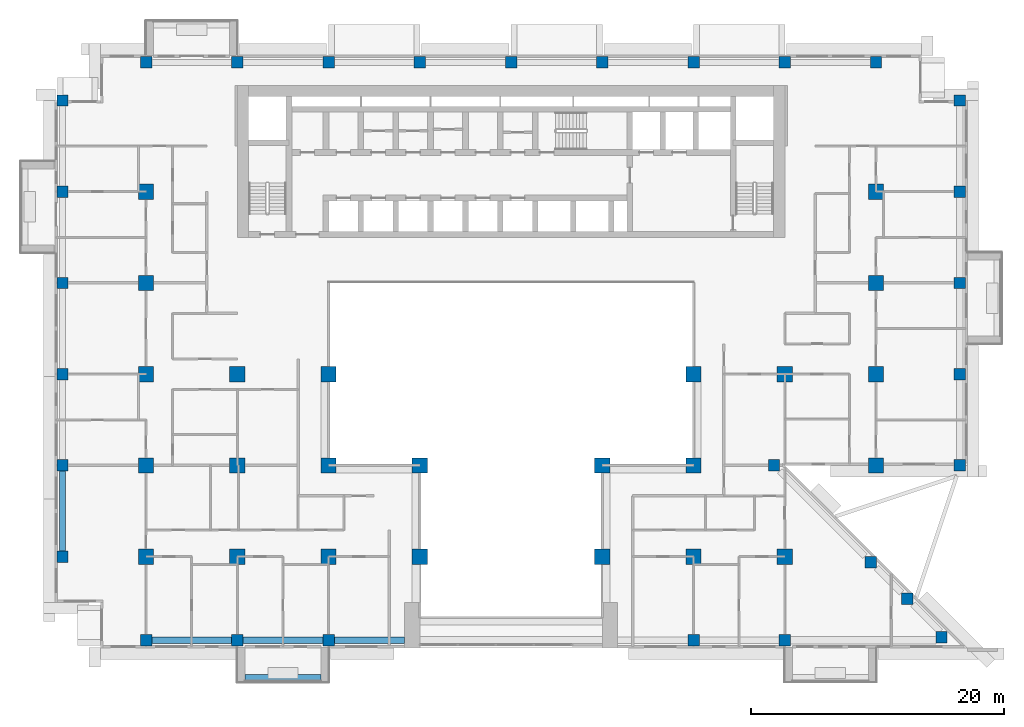
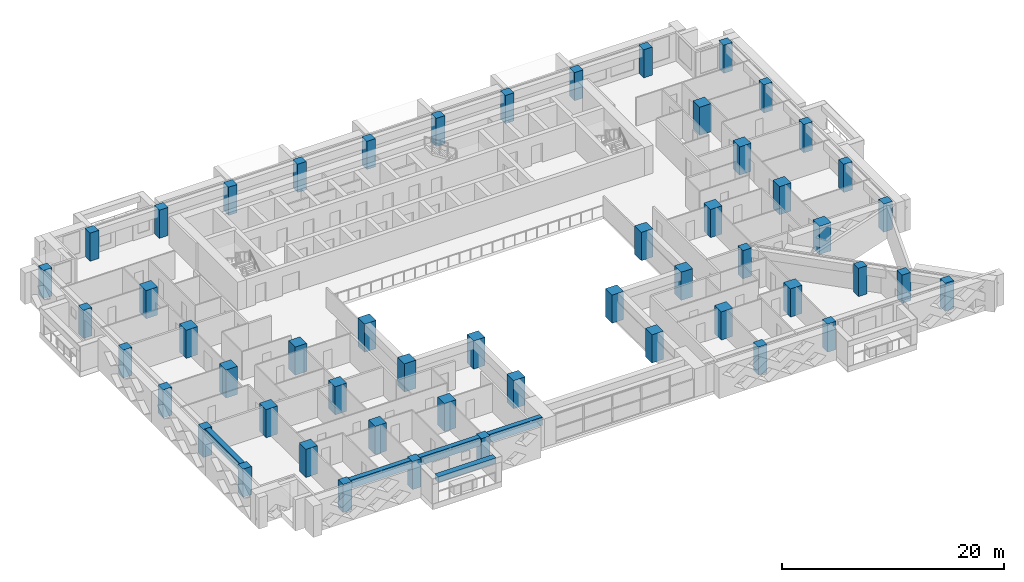
# One storey, part 1 of 17: 53 columns, 5 beams.
"""IFC4 building model written with IfcOpenShell, lengths in metres."""

from ifc_helpers import new_model, si_unit, direction, frame, origin, origin_2d, place, context, subcontext, project, spatial, rectangle, extrude, source, transform, mapped, material, material_profile, profile_set, type_object, element, save


model = new_model("IFC4")

# Units and contexts
model_context = context("Model", 3, precision=1e-05, world=origin(), true_north=direction((0.0, 1.0)))
body_context = subcontext(model_context, "Body", "Model", "MODEL_VIEW")
ifc_project = project(units=[si_unit("LENGTHUNIT", "METRE"), si_unit("AREAUNIT", "SQUARE_METRE"), si_unit("VOLUMEUNIT", "CUBIC_METRE"), si_unit("PLANEANGLEUNIT", "RADIAN"), si_unit("MASSUNIT", "GRAM", prefix="KILO")], contexts=[model_context])

# Site, building, storey
site_placement = place(None, origin())
site = spatial("IfcSite", under=ifc_project, at=site_placement, CompositionType="ELEMENT")
building_placement = place(site_placement, origin())
building = spatial("IfcBuilding", under=site, at=building_placement, Name="Saffron Iwan Residences", CompositionType="ELEMENT")
storey_placement = place(building_placement, frame((0.0, 0.0, 104.0)))
storey = spatial("IfcBuildingStorey", under=building, at=storey_placement, Name="L27", CompositionType="ELEMENT", Elevation=104.0)

# Columns
ifc_material_1 = material(Name="Concrete C60/75", Category="concrete")
ifc_material_profile_1 = material_profile(ifc_material_1, rectangle(XDim=0.89990234375, YDim=0.89990234375, at=origin_2d()), Name="RC 900x900")
ifc_profile_set_1 = profile_set([ifc_material_profile_1], Name="Concrete C60/75")
column_type_1 = type_object("IfcColumnType", Name="COL RC 900x900 C60/75 3100 HIGH", PredefinedType="COLUMN", material=ifc_profile_set_1)
shared_shape_1 = source(origin(), body_context, "Body", "SweptSolid", [
    extrude(rectangle(XDim=0.89990234375, YDim=0.89990234375, at=origin_2d()), origin(), (0.0, 0.0, 1.0), 3.10009765625),
])
for number, where, z_axis, x_axis, name in (
    (1, (21.60009765625, 34.199951171875, 0.0), (0.0, 0.0, 1.0), (1.0, 0.0, 0.0), "Column C038"),
    (2, (28.800048828125, 34.199951171875, 0.0), (0.0, 0.0, 1.0), (1.0, 0.0, 0.0), "Column C039"),
    (3, (36.0, 34.199951171875, 0.0), (0.0, 0.0, 1.0), (1.0, 0.0, 0.0), "Column C040"),
    (4, (64.800048828125, 34.199951171875, 0.0), (0.0, 0.0, 1.0), (1.0, 0.0, 0.0), "Column C041"),
    (5, (72.0, 34.199951171875, 0.0), (0.0, 0.0, 1.0), (1.0, 0.0, 0.0), "Column C042"),
    (6, (84.367431640625, 34.44189453125, 0.0), (0.0, 0.0, 1.0), (1.0, 0.0, 0.0), "Column C043"),
    (7, (81.65576171875, 37.49560546875, 0.0), (0.0, 0.0, 1.0), (1.0, 0.0, 0.0), "Column C044"),
    (8, (78.775634765625, 40.375732421875, 0.0), (0.0, 0.0, 1.0), (1.0, 0.0, 0.0), "Column C047"),
    (9, (15.0, 40.800048828125, 0.0), (0.0, 0.0, 1.0), (1.0, 0.0, 0.0), "Column C048"),
    (10, (15.0, 48.0, 0.0), (0.0, 0.0, 1.0), (1.0, 0.0, 0.0), "Column C061"),
    (11, (71.14990234375, 48.0, 0.0), (0.0, 0.0, 1.0), (1.0, 0.0, 0.0), "Column C070"),
    (12, (85.800048828125, 48.0, 0.0), (0.0, 0.0, 1.0), (1.0, 0.0, 0.0), "Column C074"),
    (13, (15.0, 55.199951171875, 0.0), (0.0, 0.0, 1.0), (1.0, 0.0, 0.0), "Column C077"),
    (14, (85.800048828125, 55.199951171875, 0.0), (0.0, 0.0, 1.0), (1.0, 0.0, 0.0), "Column C086"),
    (15, (15.0, 62.39990234375, 0.0), (0.0, 0.0, 1.0), (1.0, 0.0, 0.0), "Column C089"),
    (16, (85.800048828125, 62.39990234375, 0.0), (0.0, 0.0, 1.0), (1.0, 0.0, 0.0), "Column C094"),
    (17, (15.0, 69.60009765625, 0.0), (0.0, 0.0, 1.0), (1.0, 0.0, 0.0), "Column C097"),
    (18, (85.800048828125, 69.60009765625, 0.0), (0.0, 0.0, 1.0), (1.0, 0.0, 0.0), "Column C102"),
    (19, (15.0, 76.800048828125, 0.0), (0.0, 0.0, 1.0), (1.0, 0.0, 0.0), "Column C105"),
    (20, (85.800048828125, 76.800048828125, 0.0), (0.0, 0.0, 1.0), (1.0, 0.0, 0.0), "Column C110"),
    (21, (21.60009765625, 79.800048828125, 0.0), (0.0, 0.0, 1.0), (1.0, 0.0, 0.0), "Column C113"),
    (22, (28.800048828125, 79.800048828125, 0.0), (0.0, 0.0, 1.0), (1.0, 0.0, 0.0), "Column C115"),
    (23, (36.0, 79.800048828125, 0.0), (0.0, 0.0, 1.0), (1.0, 0.0, 0.0), "Column C116"),
    (24, (43.199951171875, 79.800048828125, 0.0), (0.0, 0.0, 1.0), (1.0, 0.0, 0.0), "Column C117"),
    (25, (50.39990234375, 79.800048828125, 0.0), (0.0, 0.0, 1.0), (1.0, 0.0, 0.0), "Column C118"),
    (26, (57.60009765625, 79.800048828125, 0.0), (0.0, 0.0, 1.0), (1.0, 0.0, 0.0), "Column C119"),
    (27, (64.800048828125, 79.800048828125, 0.0), (0.0, 0.0, 1.0), (1.0, 0.0, 0.0), "Column C120"),
    (28, (72.0, 79.800048828125, 0.0), (0.0, 0.0, 1.0), (1.0, 0.0, 0.0), "Column C121"),
    (29, (79.199951171875, 79.800048828125, 0.0), (0.0, 0.0, 1.0), (1.0, 0.0, 0.0), "Column C123"),
):
    element("IfcColumn", number, at=place(storey_placement, frame(where, z_axis=z_axis, x_axis=x_axis)), inside=storey, type_object=column_type_1, Name=name, PredefinedType="COLUMN", context=body_context, shape_type="MappedRepresentation", body=[
        mapped(shared_shape_1, transform((0.0, 0.0, 0.0))),
    ])
ifc_material_profile_2 = material_profile(ifc_material_1, rectangle(XDim=1.199951171875, YDim=1.199951171875, at=origin_2d()), Name="RC 1200x1200")
ifc_profile_set_2 = profile_set([ifc_material_profile_2], Name="Concrete C60/75")
column_type_2 = type_object("IfcColumnType", Name="COL RC 1200x1200 C60/75 3100 HIGH", PredefinedType="COLUMN", material=ifc_profile_set_2)
shared_shape_2 = source(origin(), body_context, "Body", "SweptSolid", [
    extrude(rectangle(XDim=1.199951171875, YDim=1.199951171875, at=origin_2d()), origin(), (0.0, 0.0, 1.0), 3.10009765625),
])
for number, where, z_axis, x_axis, name in (
    (30, (21.60009765625, 40.800048828125, 0.0), (0.0, 0.0, 1.0), (1.0, 0.0, 0.0), "Column C049"),
    (31, (28.800048828125, 40.800048828125, 0.0), (0.0, 0.0, 1.0), (1.0, 0.0, 0.0), "Column C051"),
    (32, (36.0, 40.800048828125, 0.0), (0.0, 0.0, 1.0), (1.0, 0.0, 0.0), "Column C052"),
    (33, (43.199951171875, 40.800048828125, 0.0), (0.0, 0.0, 1.0), (1.0, 0.0, 0.0), "Column C053"),
    (34, (57.60009765625, 40.800048828125, 0.0), (0.0, 0.0, 1.0), (1.0, 0.0, 0.0), "Column C054"),
    (35, (64.800048828125, 40.800048828125, 0.0), (0.0, 0.0, 1.0), (1.0, 0.0, 0.0), "Column C055"),
    (36, (72.0, 40.800048828125, 0.0), (0.0, 0.0, 1.0), (1.0, 0.0, 0.0), "Column C056"),
    (37, (21.60009765625, 48.0, 0.0), (0.0, 0.0, 1.0), (1.0, 0.0, 0.0), "Column C063"),
    (38, (28.800048828125, 48.0, 0.0), (0.0, 0.0, 1.0), (1.0, 0.0, 0.0), "Column C064"),
    (39, (36.0, 48.0, 0.0), (0.0, 0.0, 1.0), (1.0, 0.0, 0.0), "Column C065"),
    (40, (43.199951171875, 48.0, 0.0), (0.0, 0.0, 1.0), (1.0, 0.0, 0.0), "Column C066"),
    (41, (57.60009765625, 48.0, 0.0), (0.0, 0.0, 1.0), (1.0, 0.0, 0.0), "Column C068"),
    (42, (64.800048828125, 48.0, 0.0), (0.0, 0.0, 1.0), (1.0, 0.0, 0.0), "Column C069"),
    (43, (79.199951171875, 48.0, 0.0), (0.0, 0.0, 1.0), (1.0, 0.0, 0.0), "Column C072"),
    (44, (21.60009765625, 55.199951171875, 0.0), (0.0, 0.0, 1.0), (1.0, 0.0, 0.0), "Column C079"),
    (45, (28.800048828125, 55.199951171875, 0.0), (0.0, 0.0, 1.0), (1.0, 0.0, 0.0), "Column C080"),
    (46, (36.0, 55.199951171875, 0.0), (0.0, 0.0, 1.0), (1.0, 0.0, 0.0), "Column C081"),
    (47, (64.800048828125, 55.199951171875, 0.0), (0.0, 0.0, 1.0), (1.0, 0.0, 0.0), "Column C082"),
    (48, (72.0, 55.199951171875, 0.0), (0.0, 0.0, 1.0), (1.0, 0.0, 0.0), "Column C083"),
    (49, (79.199951171875, 55.199951171875, 0.0), (0.0, 0.0, 1.0), (1.0, 0.0, 0.0), "Column C084"),
    (50, (21.60009765625, 62.39990234375, 0.0), (0.0, 0.0, 1.0), (1.0, 0.0, 0.0), "Column C091"),
    (51, (79.199951171875, 62.39990234375, 0.0), (0.0, 0.0, 1.0), (1.0, 0.0, 0.0), "Column C092"),
    (52, (21.60009765625, 69.60009765625, 0.0), (0.0, 0.0, 1.0), (1.0, 0.0, 0.0), "Column C099"),
    (53, (79.199951171875, 69.60009765625, 0.0), (0.0, 0.0, 1.0), (1.0, 0.0, 0.0), "Column C100"),
):
    element("IfcColumn", number, at=place(storey_placement, frame(where, z_axis=z_axis, x_axis=x_axis)), inside=storey, type_object=column_type_2, Name=name, PredefinedType="COLUMN", context=body_context, shape_type="MappedRepresentation", body=[
        mapped(shared_shape_2, transform((0.0, 0.0, 0.0))),
    ])

# Beams
ifc_material_profile_3 = material_profile(ifc_material_1, rectangle(XDim=0.5, YDim=0.89990234375, at=origin_2d()), Name="RC 500x900")
ifc_profile_set_3 = profile_set([ifc_material_profile_3], Name="Concrete C60/75")
beam_type_1 = type_object("IfcBeamType", Name="SPANDREL BEAM RC 500x900 C60/75 TOP 3100", PredefinedType="SPANDREL", material=ifc_profile_set_3)
shared_shape_3 = source(origin(), body_context, "Body", "SweptSolid", [
    extrude(rectangle(XDim=0.5, YDim=0.89990234375, at=origin_2d()), origin(), (0.0, 0.0, 1.0), 6.300048828125),
])
for number, where, z_axis, x_axis, name in (
    (54, (28.35009765625, 34.199951171875, 2.64990234375), (-1.0, 0.0, 0.0), (0.0, -1.0, 0.0), "Spandrel beam"),
    (55, (35.550048828125, 34.199951171875, 2.64990234375), (-1.0, 0.0, 0.0), (0.0, -1.0, 0.0), "Spandrel beam"),
    (56, (15.0, 41.25, 2.64990234375), (0.0, 1.0, 0.0), (-1.0, 0.0, 0.0), "Spandrel beam"),
):
    element("IfcBeam", number, at=place(storey_placement, frame(where, z_axis=z_axis, x_axis=x_axis)), inside=storey, type_object=beam_type_1, Name=name, PredefinedType="SPANDREL", context=body_context, shape_type="MappedRepresentation", body=[
        mapped(shared_shape_3, transform((0.0, 0.0, 0.0))),
    ])
shared_shape_4 = source(origin(), body_context, "Body", "SweptSolid", [
    extrude(rectangle(XDim=0.5, YDim=0.89990234375, at=origin_2d()), origin(), (0.0, 0.0, 1.0), 5.550048828125),
])
beam_1_placement = place(storey_placement, frame((42.0, 34.199951171875, 2.64990234375), z_axis=(-1.0, 0.0, 0.0), x_axis=(0.0, -1.0, 0.0)))
element("IfcBeam", 57, at=beam_1_placement, inside=storey, type_object=beam_type_1, Name="Spandrel beam", PredefinedType="SPANDREL", context=body_context, shape_type="MappedRepresentation", body=[
    mapped(shared_shape_4, transform((0.0, 0.0, 0.0))),
])
ifc_material_2 = material(Name="Concrete C50/60 white painted", Category="concrete")
ifc_material_profile_4 = material_profile(ifc_material_2, rectangle(XDim=0.60009765625, YDim=0.60009765625, at=origin_2d()), Name="BALCONY FASCIA BEAM 600 x 600")
ifc_profile_set_4 = profile_set([ifc_material_profile_4], Name="Concrete C50/60 white painted")
beam_type_2 = type_object("IfcBeamType", Name="BALCONY FASCIA BEAM 600 x 600", PredefinedType="BEAM", material=ifc_profile_set_4)
shared_shape_5 = source(origin(), body_context, "Body", "SweptSolid", [
    extrude(rectangle(XDim=0.60009765625, YDim=0.60009765625, at=origin_2d()), origin(), (0.0, 0.0, 1.0), 6.0),
])
beam_2_placement = place(storey_placement, frame((29.39990234375, 31.199951171875, 2.469970703125), z_axis=(1.0, 0.0, 0.0), x_axis=(0.0, 1.0, 0.0)))
element("IfcBeam", 58, at=beam_2_placement, inside=storey, type_object=beam_type_2, Name="Balcony fascia beam L27 11-0", PredefinedType="BEAM", context=body_context, shape_type="MappedRepresentation", body=[
    mapped(shared_shape_5, transform((0.0, 0.0, 0.0))),
])

save(model, "model.ifc")
